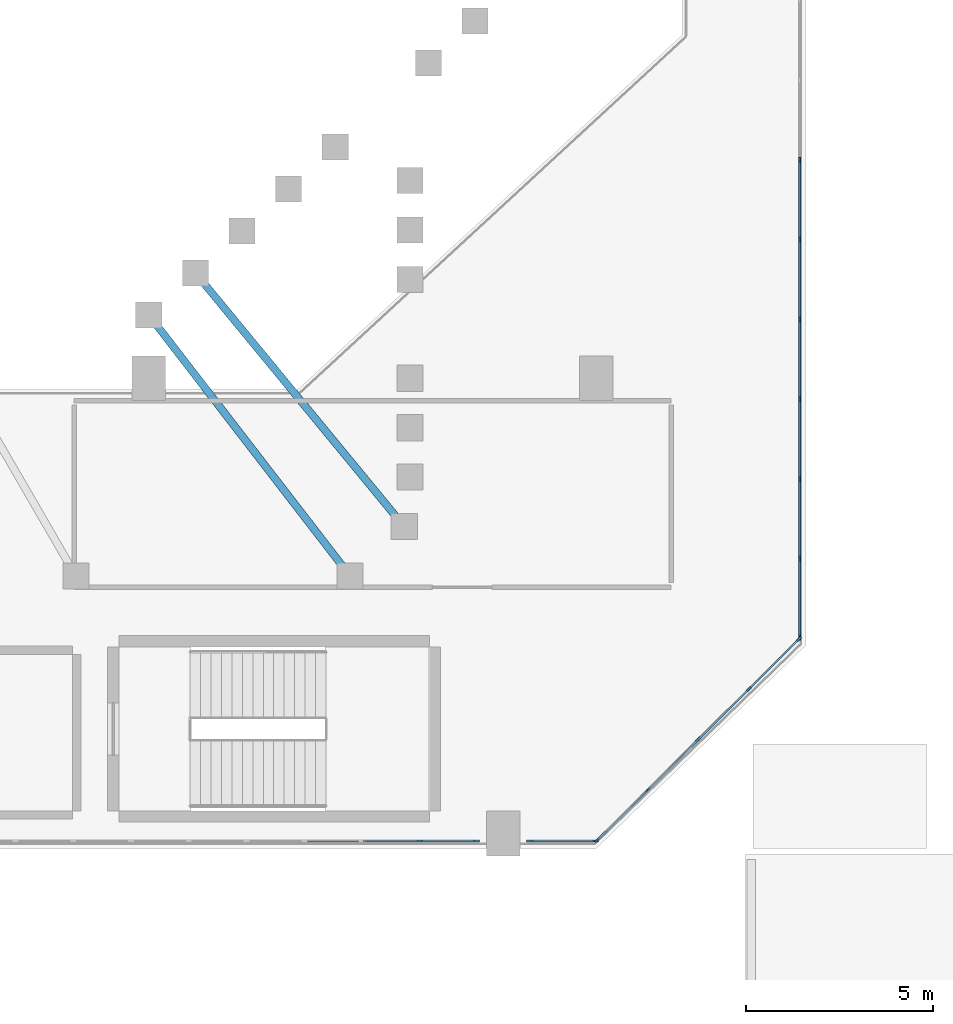
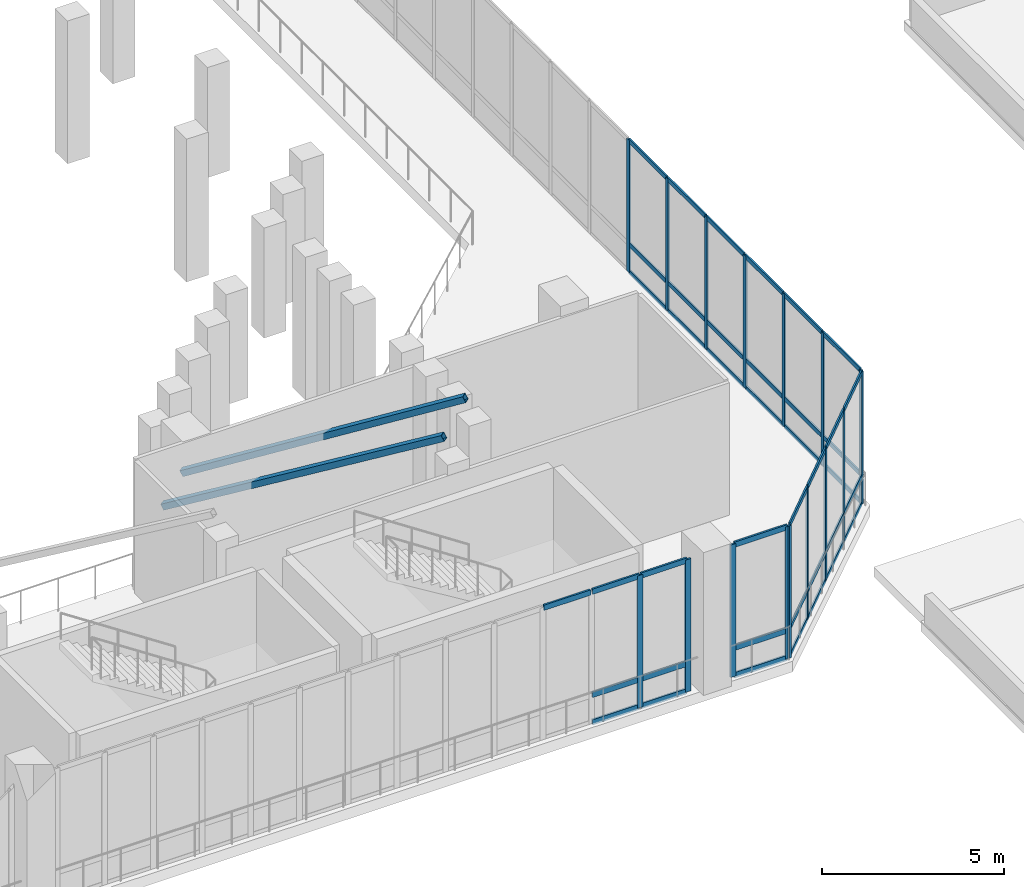
# One storey, part 27 of 126: 58 members, 4 elements without a shape of their own.
"""IFC4 building model written with IfcOpenShell, lengths in metres."""

from ifc_helpers import new_model, si_unit, derived_unit, direction, frame, origin, origin_2d, place, context, subcontext, project, spatial, rectangle, hollow_rectangle, extrude, material, layer, layer_set, material_profile, profile_set, type_object, element, aggregate, save


model = new_model("IFC4")

# Units and contexts
model_context = context("Model", 3, precision=1e-05, world=origin(), true_north=direction((0.0, 1.0)))
body_context = subcontext(model_context, "Body", "Model", "MODEL_VIEW")
ifc_project = project(units=[si_unit("LENGTHUNIT", "METRE"), si_unit("AREAUNIT", "SQUARE_METRE"), si_unit("VOLUMEUNIT", "CUBIC_METRE"), si_unit("PLANEANGLEUNIT", "RADIAN"), si_unit("MASSUNIT", "GRAM", prefix="KILO"), derived_unit("THERMALTRANSMITTANCEUNIT", [(si_unit("MASSUNIT", "GRAM", prefix="KILO"), 1), (si_unit("TIMEUNIT", "SECOND"), -3), (si_unit("THERMODYNAMICTEMPERATUREUNIT", "KELVIN"), -1)])], contexts=[model_context])

# Site, building, storey
site_placement = place(None, origin())
site = spatial("IfcSite", under=ifc_project, at=site_placement, CompositionType="ELEMENT")
building_placement = place(site_placement, origin())
building = spatial("IfcBuilding", under=site, at=building_placement, Name="Valcora Ridge Arena", CompositionType="ELEMENT")
storey_placement = place(building_placement, frame((0.0, 0.0, 11.39990234375)))
storey = spatial("IfcBuildingStorey", under=building, at=storey_placement, Name="L02", CompositionType="ELEMENT", Elevation=11.39990234375)

# Curtain wall, members
ifc_material_1 = material(Name="Anodised dark bronze architectural aluminium 6063-T6", Category="aluminium")
ifc_layer_1 = layer(ifc_material_1, 0.14990234375, Name="Anodised dark bronze architectural aluminium 6063-T6")
ifc_layer_set_1 = layer_set([ifc_layer_1], Name="Anodised dark bronze architectural aluminium 6063-T6")
curtain_wall_type_1 = type_object("IfcCurtainWallType", Name="TY-CURTAINWALL-CW-V1-EAST-077X44", PredefinedType="NOTDEFINED", material=ifc_layer_set_1)
curtain_wall_1_placement = place(storey_placement, origin())
curtain_wall_1 = element("IfcCurtainWall", 1, at=curtain_wall_1_placement, inside=storey, type_object=curtain_wall_type_1, Name="CW-V1-EAST-077X44 CW-0128", PredefinedType="NOTDEFINED")
ifc_material_profile_1 = material_profile(ifc_material_1, rectangle(XDim=0.050048828125, YDim=0.14990234375, at=origin_2d()), Name="ALU MULLION 50x150")
ifc_profile_set_1 = profile_set([ifc_material_profile_1], Name="Anodised dark bronze architectural aluminium 6063-T6")
member_type_1 = type_object("IfcMemberType", Name="TY-MEM-CWM-50x150", PredefinedType="MULLION", material=ifc_profile_set_1)
member_1_placement = place(storey_placement, frame((94.017578125, 20.217529296875, 0.0), z_axis=(0.0, 0.0, 1.0), x_axis=(-0.705655187665, 0.708555400884, 0.0)))
member_1 = element("IfcMember", 2, at=member_1_placement, type_object=member_type_1, Name="CW-0128/CWM-50x150/M00", PredefinedType="MULLION", context=body_context, shape_type="SweptSolid", body=[
    extrude(rectangle(XDim=0.050048828125, YDim=0.14990234375, at=origin_2d()), origin(), (0.0, 0.0, 1.0), 4.4501953125),
])
member_2_placement = place(storey_placement, frame((95.362548828125, 21.556884765625, 0.0), z_axis=(0.0, 0.0, 1.0), x_axis=(-0.705655187665, 0.708555400884, 0.0)))
member_2 = element("IfcMember", 3, at=member_2_placement, type_object=member_type_1, Name="CW-0128/CWM-50x150/M01", PredefinedType="MULLION", context=body_context, shape_type="SweptSolid", body=[
    extrude(rectangle(XDim=0.050048828125, YDim=0.14990234375, at=origin_2d()), origin(), (0.0, 0.0, 1.0), 4.4501953125),
])
member_3_placement = place(storey_placement, frame((96.72509765625, 22.913818359375, 0.0), z_axis=(0.0, 0.0, 1.0), x_axis=(-0.705655187665, 0.708555400884, 0.0)))
member_3 = element("IfcMember", 4, at=member_3_placement, type_object=member_type_1, Name="CW-0128/CWM-50x150/M02", PredefinedType="MULLION", context=body_context, shape_type="SweptSolid", body=[
    extrude(rectangle(XDim=0.050048828125, YDim=0.14990234375, at=origin_2d()), origin(), (0.0, 0.0, 1.0), 4.4501953125),
])
member_4_placement = place(storey_placement, frame((98.08740234375, 24.270751953125, 0.0), z_axis=(0.0, 0.0, 1.0), x_axis=(-0.705655187665, 0.708555400884, 0.0)))
member_4 = element("IfcMember", 5, at=member_4_placement, type_object=member_type_1, Name="CW-0128/CWM-50x150/M03", PredefinedType="MULLION", context=body_context, shape_type="SweptSolid", body=[
    extrude(rectangle(XDim=0.050048828125, YDim=0.14990234375, at=origin_2d()), origin(), (0.0, 0.0, 1.0), 4.4501953125),
])
member_5_placement = place(storey_placement, frame((99.432373046875, 25.610107421875, 0.0), z_axis=(0.0, 0.0, 1.0), x_axis=(-0.705655187665, 0.708555400884, 0.0)))
member_5 = element("IfcMember", 6, at=member_5_placement, type_object=member_type_1, Name="CW-0128/CWM-50x150/M04", PredefinedType="MULLION", context=body_context, shape_type="SweptSolid", body=[
    extrude(rectangle(XDim=0.050048828125, YDim=0.14990234375, at=origin_2d()), origin(), (0.0, 0.0, 1.0), 4.4501953125),
])

ifc_layer_2 = layer(ifc_material_1, 0.14990234375, Name="Anodised dark bronze architectural aluminium 6063-T6")
ifc_layer_set_2 = layer_set([ifc_layer_2], Name="Anodised dark bronze architectural aluminium 6063-T6")
curtain_wall_type_2 = type_object("IfcCurtainWallType", Name="TY-CURTAINWALL-CW-V1-EAST-769X44", PredefinedType="NOTDEFINED", material=ifc_layer_set_2)
curtain_wall_2_placement = place(storey_placement, origin())
curtain_wall_2 = element("IfcCurtainWall", 7, at=curtain_wall_2_placement, inside=storey, type_object=curtain_wall_type_2, Name="CW-V1-EAST-769X44 CW-0129", PredefinedType="NOTDEFINED")
member_6_placement = place(storey_placement, frame((99.449951171875, 25.652587890625, 0.0), z_axis=(0.0, 0.0, 1.0), x_axis=(-1.0, 0.0, 0.0)))
member_6 = element("IfcMember", 8, at=member_6_placement, type_object=member_type_1, Name="CW-0129/CWM-50x150/M00", PredefinedType="MULLION", context=body_context, shape_type="SweptSolid", body=[
    extrude(rectangle(XDim=0.050048828125, YDim=0.14990234375, at=origin_2d()), origin(), (0.0, 0.0, 1.0), 4.4501953125),
])
member_7_placement = place(storey_placement, frame((99.449951171875, 27.76513671875, 0.0), z_axis=(0.0, 0.0, 1.0), x_axis=(-1.0, 0.0, 0.0)))
member_7 = element("IfcMember", 9, at=member_7_placement, type_object=member_type_1, Name="CW-0129/CWM-50x150/M01", PredefinedType="MULLION", context=body_context, shape_type="SweptSolid", body=[
    extrude(rectangle(XDim=0.050048828125, YDim=0.14990234375, at=origin_2d()), origin(), (0.0, 0.0, 1.0), 4.4501953125),
])
member_8_placement = place(storey_placement, frame((99.449951171875, 29.90234375, 0.0), z_axis=(0.0, 0.0, 1.0), x_axis=(-1.0, 0.0, 0.0)))
member_8 = element("IfcMember", 10, at=member_8_placement, type_object=member_type_1, Name="CW-0129/CWM-50x150/M02", PredefinedType="MULLION", context=body_context, shape_type="SweptSolid", body=[
    extrude(rectangle(XDim=0.050048828125, YDim=0.14990234375, at=origin_2d()), origin(), (0.0, 0.0, 1.0), 4.4501953125),
])
member_9_placement = place(storey_placement, frame((99.449951171875, 32.039794921875, 0.0), z_axis=(0.0, 0.0, 1.0), x_axis=(-1.0, 0.0, 0.0)))
member_9 = element("IfcMember", 11, at=member_9_placement, type_object=member_type_1, Name="CW-0129/CWM-50x150/M03", PredefinedType="MULLION", context=body_context, shape_type="SweptSolid", body=[
    extrude(rectangle(XDim=0.050048828125, YDim=0.14990234375, at=origin_2d()), origin(), (0.0, 0.0, 1.0), 4.4501953125),
])
member_10_placement = place(storey_placement, frame((99.449951171875, 34.177001953125, 0.0), z_axis=(0.0, 0.0, 1.0), x_axis=(-1.0, 0.0, 0.0)))
member_10 = element("IfcMember", 12, at=member_10_placement, type_object=member_type_1, Name="CW-0129/CWM-50x150/M04", PredefinedType="MULLION", context=body_context, shape_type="SweptSolid", body=[
    extrude(rectangle(XDim=0.050048828125, YDim=0.14990234375, at=origin_2d()), origin(), (0.0, 0.0, 1.0), 4.4501953125),
])
member_11_placement = place(storey_placement, frame((99.449951171875, 36.314453125, 0.0), z_axis=(0.0, 0.0, 1.0), x_axis=(-1.0, 0.0, 0.0)))
member_11 = element("IfcMember", 13, at=member_11_placement, type_object=member_type_1, Name="CW-0129/CWM-50x150/M05", PredefinedType="MULLION", context=body_context, shape_type="SweptSolid", body=[
    extrude(rectangle(XDim=0.050048828125, YDim=0.14990234375, at=origin_2d()), origin(), (0.0, 0.0, 1.0), 4.4501953125),
])
member_12_placement = place(storey_placement, frame((99.449951171875, 38.451904296875, 0.0), z_axis=(0.0, 0.0, 1.0), x_axis=(-1.0, 0.0, 0.0)))
member_12 = element("IfcMember", 14, at=member_12_placement, type_object=member_type_1, Name="CW-0129/CWM-50x150/M06", PredefinedType="MULLION", context=body_context, shape_type="SweptSolid", body=[
    extrude(rectangle(XDim=0.050048828125, YDim=0.14990234375, at=origin_2d()), origin(), (0.0, 0.0, 1.0), 4.4501953125),
])

ifc_layer_3 = layer(ifc_material_1, 0.179931640625, Name="Anodised dark bronze architectural aluminium 6063-T6")
ifc_layer_set_3 = layer_set([ifc_layer_3], Name="Anodised dark bronze architectural aluminium 6063-T6")
curtain_wall_type_3 = type_object("IfcCurtainWallType", Name="TY-CURTAINWALL-CW-V1-GOTH-201X44", PredefinedType="NOTDEFINED", material=ifc_layer_set_3)
curtain_wall_3_placement = place(storey_placement, origin())
curtain_wall_3 = element("IfcCurtainWall", 15, at=curtain_wall_3_placement, inside=storey, type_object=curtain_wall_type_3, Name="CW-V1-GOTH-201X44 CW-0122", PredefinedType="NOTDEFINED")
ifc_material_profile_2 = material_profile(ifc_material_1, rectangle(XDim=0.06005859375, YDim=0.179931640625, at=origin_2d()), Name="ALU MULLION 60x180")
ifc_profile_set_2 = profile_set([ifc_material_profile_2], Name="Anodised dark bronze architectural aluminium 6063-T6")
member_type_2 = type_object("IfcMemberType", Name="TY-MEM-CWM-60x180", PredefinedType="MULLION", material=ifc_profile_set_2)
member_13_placement = place(storey_placement, frame((89.26220703125, 20.199951171875, 0.0), z_axis=(0.0, 0.0, 1.0), x_axis=(0.0, 1.0, 0.0)))
member_13 = element("IfcMember", 16, at=member_13_placement, type_object=member_type_2, Name="CW-0122/CWM-60x180/M12", PredefinedType="MULLION", context=body_context, shape_type="SweptSolid", body=[
    extrude(rectangle(XDim=0.06005859375, YDim=0.179931640625, at=origin_2d()), origin(), (0.0, 0.0, 1.0), 4.4501953125),
])
member_14_placement = place(storey_placement, frame((90.780029296875, 20.199951171875, 0.0), z_axis=(0.0, 0.0, 1.0), x_axis=(0.0, 1.0, 0.0)))
member_14 = element("IfcMember", 17, at=member_14_placement, type_object=member_type_2, Name="CW-0122/CWM-60x180/M13", PredefinedType="MULLION", context=body_context, shape_type="SweptSolid", body=[
    extrude(rectangle(XDim=0.06005859375, YDim=0.179931640625, at=origin_2d()), origin(), (0.0, 0.0, 1.0), 4.4501953125),
])

ifc_layer_4 = layer(ifc_material_1, 0.179931640625, Name="Anodised dark bronze architectural aluminium 6063-T6")
ifc_layer_set_4 = layer_set([ifc_layer_4], Name="Anodised dark bronze architectural aluminium 6063-T6")
curtain_wall_type_4 = type_object("IfcCurtainWallType", Name="TY-CURTAINWALL-CW-V1-GOTH-018X44", PredefinedType="NOTDEFINED", material=ifc_layer_set_4)
curtain_wall_4_placement = place(storey_placement, origin())
curtain_wall_4 = element("IfcCurtainWall", 18, at=curtain_wall_4_placement, inside=storey, type_object=curtain_wall_type_4, Name="CW-V1-GOTH-018X44 CW-0123", PredefinedType="NOTDEFINED")
member_15_placement = place(storey_placement, frame((92.219970703125, 20.199951171875, 0.0), z_axis=(0.0, 0.0, 1.0), x_axis=(0.0, 1.0, 0.0)))
member_15 = element("IfcMember", 19, at=member_15_placement, type_object=member_type_2, Name="CW-0123/CWM-60x180/M00", PredefinedType="MULLION", context=body_context, shape_type="SweptSolid", body=[
    extrude(rectangle(XDim=0.06005859375, YDim=0.179931640625, at=origin_2d()), origin(), (0.0, 0.0, 1.0), 4.4501953125),
])
member_16_placement = place(storey_placement, frame((93.969970703125, 20.199951171875, 0.0), z_axis=(0.0, 0.0, 1.0), x_axis=(0.0, 1.0, 0.0)))
member_16 = element("IfcMember", 20, at=member_16_placement, type_object=member_type_2, Name="CW-0123/CWM-60x180/M01", PredefinedType="MULLION", context=body_context, shape_type="SweptSolid", body=[
    extrude(rectangle(XDim=0.06005859375, YDim=0.179931640625, at=origin_2d()), origin(), (0.0, 0.0, 1.0), 4.4501953125),
])

# Member
ifc_material_profile_3 = material_profile(ifc_material_1, rectangle(XDim=0.050048828125, YDim=0.14990234375, at=origin_2d()), Name="ALU TRANSOM 50x150")
ifc_profile_set_3 = profile_set([ifc_material_profile_3], Name="Anodised dark bronze architectural aluminium 6063-T6")
member_type_3 = type_object("IfcMemberType", Name="TY-MEM-CWT-50x150", PredefinedType="USERDEFINED", material=ifc_profile_set_3)
member_17_placement = place(storey_placement, frame((94.035400390625, 20.2353515625, 0.025146484375), z_axis=(0.708558605724, 0.705651969638, 0.0), x_axis=(-0.705651969638, 0.708558605724, 0.0)))
member_17 = element("IfcMember", 21, at=member_17_placement, type_object=member_type_3, Name="CW-0128/CWT-50x150/T00-00", ObjectType="TRANSOM", PredefinedType="USERDEFINED", context=body_context, shape_type="SweptSolid", body=[
    extrude(rectangle(XDim=0.050048828125, YDim=0.14990234375, at=origin_2d()), origin(), (0.0, 0.0, 1.0), 1.847900390625),
])

member_18_placement = place(storey_placement, frame((94.035400390625, 20.2353515625, 0.9501953125), z_axis=(0.708558605724, 0.705651969638, 0.0), x_axis=(-0.705651969638, 0.708558605724, 0.0)))
member_18 = element("IfcMember", 22, at=member_18_placement, type_object=member_type_3, Name="CW-0128/CWT-50x150/T00-01", ObjectType="TRANSOM", PredefinedType="USERDEFINED", context=body_context, shape_type="SweptSolid", body=[
    extrude(rectangle(XDim=0.050048828125, YDim=0.14990234375, at=origin_2d()), origin(), (0.0, 0.0, 1.0), 1.847900390625),
])

member_19_placement = place(storey_placement, frame((94.035400390625, 20.2353515625, 4.425048828125), z_axis=(0.708558605724, 0.705651969638, 0.0), x_axis=(-0.705651969638, 0.708558605724, 0.0)))
member_19 = element("IfcMember", 23, at=member_19_placement, type_object=member_type_3, Name="CW-0128/CWT-50x150/T00-02", ObjectType="TRANSOM", PredefinedType="USERDEFINED", context=body_context, shape_type="SweptSolid", body=[
    extrude(rectangle(XDim=0.050048828125, YDim=0.14990234375, at=origin_2d()), origin(), (0.0, 0.0, 1.0), 1.847900390625),
])

member_20_placement = place(storey_placement, frame((95.38037109375, 21.57470703125, 0.025146484375), z_axis=(0.708604262994, 0.705606121336, 0.0), x_axis=(-0.705606121336, 0.708604262994, 0.0)))
member_20 = element("IfcMember", 24, at=member_20_placement, type_object=member_type_3, Name="CW-0128/CWT-50x150/T01-00", ObjectType="TRANSOM", PredefinedType="USERDEFINED", context=body_context, shape_type="SweptSolid", body=[
    extrude(rectangle(XDim=0.050048828125, YDim=0.14990234375, at=origin_2d()), origin(), (0.0, 0.0, 1.0), 1.872802734375),
])

member_21_placement = place(storey_placement, frame((95.38037109375, 21.57470703125, 0.9501953125), z_axis=(0.708604262994, 0.705606121336, 0.0), x_axis=(-0.705606121336, 0.708604262994, 0.0)))
member_21 = element("IfcMember", 25, at=member_21_placement, type_object=member_type_3, Name="CW-0128/CWT-50x150/T01-01", ObjectType="TRANSOM", PredefinedType="USERDEFINED", context=body_context, shape_type="SweptSolid", body=[
    extrude(rectangle(XDim=0.050048828125, YDim=0.14990234375, at=origin_2d()), origin(), (0.0, 0.0, 1.0), 1.872802734375),
])

member_22_placement = place(storey_placement, frame((95.38037109375, 21.57470703125, 4.425048828125), z_axis=(0.708604262994, 0.705606121336, 0.0), x_axis=(-0.705606121336, 0.708604262994, 0.0)))
member_22 = element("IfcMember", 26, at=member_22_placement, type_object=member_type_3, Name="CW-0128/CWT-50x150/T01-02", ObjectType="TRANSOM", PredefinedType="USERDEFINED", context=body_context, shape_type="SweptSolid", body=[
    extrude(rectangle(XDim=0.050048828125, YDim=0.14990234375, at=origin_2d()), origin(), (0.0, 0.0, 1.0), 1.872802734375),
])

member_23_placement = place(storey_placement, frame((96.742919921875, 22.931640625, 0.025146484375), z_axis=(0.708474173856, 0.705736739145, 0.0), x_axis=(-0.705736739145, 0.708474173856, 0.0)))
member_23 = element("IfcMember", 27, at=member_23_placement, type_object=member_type_3, Name="CW-0128/CWT-50x150/T02-00", ObjectType="TRANSOM", PredefinedType="USERDEFINED", context=body_context, shape_type="SweptSolid", body=[
    extrude(rectangle(XDim=0.050048828125, YDim=0.14990234375, at=origin_2d()), origin(), (0.0, 0.0, 1.0), 1.872802734375),
])

member_24_placement = place(storey_placement, frame((96.742919921875, 22.931640625, 0.9501953125), z_axis=(0.708474173856, 0.705736739145, 0.0), x_axis=(-0.705736739145, 0.708474173856, 0.0)))
member_24 = element("IfcMember", 28, at=member_24_placement, type_object=member_type_3, Name="CW-0128/CWT-50x150/T02-01", ObjectType="TRANSOM", PredefinedType="USERDEFINED", context=body_context, shape_type="SweptSolid", body=[
    extrude(rectangle(XDim=0.050048828125, YDim=0.14990234375, at=origin_2d()), origin(), (0.0, 0.0, 1.0), 1.872802734375),
])

member_25_placement = place(storey_placement, frame((96.742919921875, 22.931640625, 4.425048828125), z_axis=(0.708474173856, 0.705736739145, 0.0), x_axis=(-0.705736739145, 0.708474173856, 0.0)))
member_25 = element("IfcMember", 29, at=member_25_placement, type_object=member_type_3, Name="CW-0128/CWT-50x150/T02-02", ObjectType="TRANSOM", PredefinedType="USERDEFINED", context=body_context, shape_type="SweptSolid", body=[
    extrude(rectangle(XDim=0.050048828125, YDim=0.14990234375, at=origin_2d()), origin(), (0.0, 0.0, 1.0), 1.872802734375),
])

member_26_placement = place(storey_placement, frame((98.10546875, 24.28857421875, 0.025146484375), z_axis=(0.708558605724, 0.705651969638, 0.0), x_axis=(-0.705651969638, 0.708558605724, 0.0)))
member_26 = element("IfcMember", 30, at=member_26_placement, type_object=member_type_3, Name="CW-0128/CWT-50x150/T03-00", ObjectType="TRANSOM", PredefinedType="USERDEFINED", context=body_context, shape_type="SweptSolid", body=[
    extrude(rectangle(XDim=0.050048828125, YDim=0.14990234375, at=origin_2d()), origin(), (0.0, 0.0, 1.0), 1.847900390625),
])

member_27_placement = place(storey_placement, frame((98.10546875, 24.28857421875, 0.9501953125), z_axis=(0.708558605724, 0.705651969638, 0.0), x_axis=(-0.705651969638, 0.708558605724, 0.0)))
member_27 = element("IfcMember", 31, at=member_27_placement, type_object=member_type_3, Name="CW-0128/CWT-50x150/T03-01", ObjectType="TRANSOM", PredefinedType="USERDEFINED", context=body_context, shape_type="SweptSolid", body=[
    extrude(rectangle(XDim=0.050048828125, YDim=0.14990234375, at=origin_2d()), origin(), (0.0, 0.0, 1.0), 1.847900390625),
])

member_28_placement = place(storey_placement, frame((98.10546875, 24.28857421875, 4.425048828125), z_axis=(0.708558605724, 0.705651969638, 0.0), x_axis=(-0.705651969638, 0.708558605724, 0.0)))
member_28 = element("IfcMember", 32, at=member_28_placement, type_object=member_type_3, Name="CW-0128/CWT-50x150/T03-02", ObjectType="TRANSOM", PredefinedType="USERDEFINED", context=body_context, shape_type="SweptSolid", body=[
    extrude(rectangle(XDim=0.050048828125, YDim=0.14990234375, at=origin_2d()), origin(), (0.0, 0.0, 1.0), 1.847900390625),
])

aggregate(curtain_wall_1, [member_1, member_2, member_3, member_4, member_5, member_17, member_18, member_19, member_20, member_21, member_22, member_23, member_24, member_25, member_26, member_27, member_28])

member_29_placement = place(storey_placement, frame((99.449951171875, 25.677734375, 0.025146484375), z_axis=(0.0, 1.0, 0.0), x_axis=(-1.0, 0.0, 0.0)))
member_29 = element("IfcMember", 33, at=member_29_placement, type_object=member_type_3, Name="CW-0129/CWT-50x150/T00-00", ObjectType="TRANSOM", PredefinedType="USERDEFINED", context=body_context, shape_type="SweptSolid", body=[
    extrude(rectangle(XDim=0.050048828125, YDim=0.14990234375, at=origin_2d()), origin(), (0.0, 0.0, 1.0), 2.06201171875),
])

member_30_placement = place(storey_placement, frame((99.449951171875, 25.677734375, 0.9501953125), z_axis=(0.0, 1.0, 0.0), x_axis=(-1.0, 0.0, 0.0)))
member_30 = element("IfcMember", 34, at=member_30_placement, type_object=member_type_3, Name="CW-0129/CWT-50x150/T00-01", ObjectType="TRANSOM", PredefinedType="USERDEFINED", context=body_context, shape_type="SweptSolid", body=[
    extrude(rectangle(XDim=0.050048828125, YDim=0.14990234375, at=origin_2d()), origin(), (0.0, 0.0, 1.0), 2.06201171875),
])

member_31_placement = place(storey_placement, frame((99.449951171875, 25.677734375, 4.425048828125), z_axis=(0.0, 1.0, 0.0), x_axis=(-1.0, 0.0, 0.0)))
member_31 = element("IfcMember", 35, at=member_31_placement, type_object=member_type_3, Name="CW-0129/CWT-50x150/T00-02", ObjectType="TRANSOM", PredefinedType="USERDEFINED", context=body_context, shape_type="SweptSolid", body=[
    extrude(rectangle(XDim=0.050048828125, YDim=0.14990234375, at=origin_2d()), origin(), (0.0, 0.0, 1.0), 2.06201171875),
])

member_32_placement = place(storey_placement, frame((99.449951171875, 27.789794921875, 0.025146484375), z_axis=(0.0, 1.0, 0.0), x_axis=(-1.0, 0.0, 0.0)))
member_32 = element("IfcMember", 36, at=member_32_placement, type_object=member_type_3, Name="CW-0129/CWT-50x150/T01-00", ObjectType="TRANSOM", PredefinedType="USERDEFINED", context=body_context, shape_type="SweptSolid", body=[
    extrude(rectangle(XDim=0.050048828125, YDim=0.14990234375, at=origin_2d()), origin(), (0.0, 0.0, 1.0), 2.087890625),
])

member_33_placement = place(storey_placement, frame((99.449951171875, 27.789794921875, 0.9501953125), z_axis=(0.0, 1.0, 0.0), x_axis=(-1.0, 0.0, 0.0)))
member_33 = element("IfcMember", 37, at=member_33_placement, type_object=member_type_3, Name="CW-0129/CWT-50x150/T01-01", ObjectType="TRANSOM", PredefinedType="USERDEFINED", context=body_context, shape_type="SweptSolid", body=[
    extrude(rectangle(XDim=0.050048828125, YDim=0.14990234375, at=origin_2d()), origin(), (0.0, 0.0, 1.0), 2.087890625),
])

member_34_placement = place(storey_placement, frame((99.449951171875, 27.789794921875, 4.425048828125), z_axis=(0.0, 1.0, 0.0), x_axis=(-1.0, 0.0, 0.0)))
member_34 = element("IfcMember", 38, at=member_34_placement, type_object=member_type_3, Name="CW-0129/CWT-50x150/T01-02", ObjectType="TRANSOM", PredefinedType="USERDEFINED", context=body_context, shape_type="SweptSolid", body=[
    extrude(rectangle(XDim=0.050048828125, YDim=0.14990234375, at=origin_2d()), origin(), (0.0, 0.0, 1.0), 2.087890625),
])

member_35_placement = place(storey_placement, frame((99.449951171875, 29.927734375, 0.025146484375), z_axis=(0.0, 1.0, 0.0), x_axis=(-1.0, 0.0, 0.0)))
member_35 = element("IfcMember", 39, at=member_35_placement, type_object=member_type_3, Name="CW-0129/CWT-50x150/T02-00", ObjectType="TRANSOM", PredefinedType="USERDEFINED", context=body_context, shape_type="SweptSolid", body=[
    extrude(rectangle(XDim=0.050048828125, YDim=0.14990234375, at=origin_2d()), origin(), (0.0, 0.0, 1.0), 2.0869140625),
])

member_36_placement = place(storey_placement, frame((99.449951171875, 29.927734375, 0.9501953125), z_axis=(0.0, 1.0, 0.0), x_axis=(-1.0, 0.0, 0.0)))
member_36 = element("IfcMember", 40, at=member_36_placement, type_object=member_type_3, Name="CW-0129/CWT-50x150/T02-01", ObjectType="TRANSOM", PredefinedType="USERDEFINED", context=body_context, shape_type="SweptSolid", body=[
    extrude(rectangle(XDim=0.050048828125, YDim=0.14990234375, at=origin_2d()), origin(), (0.0, 0.0, 1.0), 2.0869140625),
])

member_37_placement = place(storey_placement, frame((99.449951171875, 29.927734375, 4.425048828125), z_axis=(0.0, 1.0, 0.0), x_axis=(-1.0, 0.0, 0.0)))
member_37 = element("IfcMember", 41, at=member_37_placement, type_object=member_type_3, Name="CW-0129/CWT-50x150/T02-02", ObjectType="TRANSOM", PredefinedType="USERDEFINED", context=body_context, shape_type="SweptSolid", body=[
    extrude(rectangle(XDim=0.050048828125, YDim=0.14990234375, at=origin_2d()), origin(), (0.0, 0.0, 1.0), 2.0869140625),
])

member_38_placement = place(storey_placement, frame((99.449951171875, 32.064697265625, 0.025146484375), z_axis=(0.0, 1.0, 0.0), x_axis=(-1.0, 0.0, 0.0)))
member_38 = element("IfcMember", 42, at=member_38_placement, type_object=member_type_3, Name="CW-0129/CWT-50x150/T03-00", ObjectType="TRANSOM", PredefinedType="USERDEFINED", context=body_context, shape_type="SweptSolid", body=[
    extrude(rectangle(XDim=0.050048828125, YDim=0.14990234375, at=origin_2d()), origin(), (0.0, 0.0, 1.0), 2.0869140625),
])

member_39_placement = place(storey_placement, frame((99.449951171875, 32.064697265625, 0.9501953125), z_axis=(0.0, 1.0, 0.0), x_axis=(-1.0, 0.0, 0.0)))
member_39 = element("IfcMember", 43, at=member_39_placement, type_object=member_type_3, Name="CW-0129/CWT-50x150/T03-01", ObjectType="TRANSOM", PredefinedType="USERDEFINED", context=body_context, shape_type="SweptSolid", body=[
    extrude(rectangle(XDim=0.050048828125, YDim=0.14990234375, at=origin_2d()), origin(), (0.0, 0.0, 1.0), 2.0869140625),
])

member_40_placement = place(storey_placement, frame((99.449951171875, 32.064697265625, 4.425048828125), z_axis=(0.0, 1.0, 0.0), x_axis=(-1.0, 0.0, 0.0)))
member_40 = element("IfcMember", 44, at=member_40_placement, type_object=member_type_3, Name="CW-0129/CWT-50x150/T03-02", ObjectType="TRANSOM", PredefinedType="USERDEFINED", context=body_context, shape_type="SweptSolid", body=[
    extrude(rectangle(XDim=0.050048828125, YDim=0.14990234375, at=origin_2d()), origin(), (0.0, 0.0, 1.0), 2.0869140625),
])

member_41_placement = place(storey_placement, frame((99.449951171875, 34.20166015625, 0.025146484375), z_axis=(0.0, 1.0, 0.0), x_axis=(-1.0, 0.0, 0.0)))
member_41 = element("IfcMember", 45, at=member_41_placement, type_object=member_type_3, Name="CW-0129/CWT-50x150/T04-00", ObjectType="TRANSOM", PredefinedType="USERDEFINED", context=body_context, shape_type="SweptSolid", body=[
    extrude(rectangle(XDim=0.050048828125, YDim=0.14990234375, at=origin_2d()), origin(), (0.0, 0.0, 1.0), 2.088134765625),
])

member_42_placement = place(storey_placement, frame((99.449951171875, 34.20166015625, 0.9501953125), z_axis=(0.0, 1.0, 0.0), x_axis=(-1.0, 0.0, 0.0)))
member_42 = element("IfcMember", 46, at=member_42_placement, type_object=member_type_3, Name="CW-0129/CWT-50x150/T04-01", ObjectType="TRANSOM", PredefinedType="USERDEFINED", context=body_context, shape_type="SweptSolid", body=[
    extrude(rectangle(XDim=0.050048828125, YDim=0.14990234375, at=origin_2d()), origin(), (0.0, 0.0, 1.0), 2.088134765625),
])

member_43_placement = place(storey_placement, frame((99.449951171875, 34.20166015625, 4.425048828125), z_axis=(0.0, 1.0, 0.0), x_axis=(-1.0, 0.0, 0.0)))
member_43 = element("IfcMember", 47, at=member_43_placement, type_object=member_type_3, Name="CW-0129/CWT-50x150/T04-02", ObjectType="TRANSOM", PredefinedType="USERDEFINED", context=body_context, shape_type="SweptSolid", body=[
    extrude(rectangle(XDim=0.050048828125, YDim=0.14990234375, at=origin_2d()), origin(), (0.0, 0.0, 1.0), 2.088134765625),
])

member_44_placement = place(storey_placement, frame((99.449951171875, 36.339599609375, 0.025146484375), z_axis=(0.0, 1.0, 0.0), x_axis=(-1.0, 0.0, 0.0)))
member_44 = element("IfcMember", 48, at=member_44_placement, type_object=member_type_3, Name="CW-0129/CWT-50x150/T05-00", ObjectType="TRANSOM", PredefinedType="USERDEFINED", context=body_context, shape_type="SweptSolid", body=[
    extrude(rectangle(XDim=0.050048828125, YDim=0.14990234375, at=origin_2d()), origin(), (0.0, 0.0, 1.0), 2.087158203125),
])

member_45_placement = place(storey_placement, frame((99.449951171875, 36.339599609375, 0.9501953125), z_axis=(0.0, 1.0, 0.0), x_axis=(-1.0, 0.0, 0.0)))
member_45 = element("IfcMember", 49, at=member_45_placement, type_object=member_type_3, Name="CW-0129/CWT-50x150/T05-01", ObjectType="TRANSOM", PredefinedType="USERDEFINED", context=body_context, shape_type="SweptSolid", body=[
    extrude(rectangle(XDim=0.050048828125, YDim=0.14990234375, at=origin_2d()), origin(), (0.0, 0.0, 1.0), 2.087158203125),
])

member_46_placement = place(storey_placement, frame((99.449951171875, 36.339599609375, 4.425048828125), z_axis=(0.0, 1.0, 0.0), x_axis=(-1.0, 0.0, 0.0)))
member_46 = element("IfcMember", 50, at=member_46_placement, type_object=member_type_3, Name="CW-0129/CWT-50x150/T05-02", ObjectType="TRANSOM", PredefinedType="USERDEFINED", context=body_context, shape_type="SweptSolid", body=[
    extrude(rectangle(XDim=0.050048828125, YDim=0.14990234375, at=origin_2d()), origin(), (0.0, 0.0, 1.0), 2.087158203125),
])

aggregate(curtain_wall_2, [member_6, member_7, member_8, member_9, member_10, member_11, member_12, member_29, member_30, member_31, member_32, member_33, member_34, member_35, member_36, member_37, member_38, member_39, member_40, member_41, member_42, member_43, member_44, member_45, member_46])

ifc_material_profile_4 = material_profile(ifc_material_1, rectangle(XDim=0.06005859375, YDim=0.179931640625, at=origin_2d()), Name="ALU TRANSOM 60x180")
ifc_profile_set_4 = profile_set([ifc_material_profile_4], Name="Anodised dark bronze architectural aluminium 6063-T6")
member_type_4 = type_object("IfcMemberType", Name="TY-MEM-CWT-60x180", PredefinedType="USERDEFINED", material=ifc_profile_set_4)
member_47_placement = place(storey_placement, frame((86.197021484375, 20.199951171875, 4.420166015625), z_axis=(1.0, 0.0, 0.0), x_axis=(0.0, 1.0, 0.0)))
member_47 = element("IfcMember", 51, at=member_47_placement, type_object=member_type_4, Name="CW-0122/CWT-60x180/T10-02", ObjectType="TRANSOM", PredefinedType="USERDEFINED", context=body_context, shape_type="SweptSolid", body=[
    extrude(rectangle(XDim=0.06005859375, YDim=0.179931640625, at=origin_2d()), origin(), (0.0, 0.0, 1.0), 1.488037109375),
])

member_48_placement = place(storey_placement, frame((87.7451171875, 20.199951171875, 0.030029296875), z_axis=(1.0, 0.0, 0.0), x_axis=(0.0, 1.0, 0.0)))
member_48 = element("IfcMember", 52, at=member_48_placement, type_object=member_type_4, Name="CW-0122/CWT-60x180/T11-00", ObjectType="TRANSOM", PredefinedType="USERDEFINED", context=body_context, shape_type="SweptSolid", body=[
    extrude(rectangle(XDim=0.06005859375, YDim=0.179931640625, at=origin_2d()), origin(), (0.0, 0.0, 1.0), 1.48681640625),
])

member_49_placement = place(storey_placement, frame((87.7451171875, 20.199951171875, 0.9501953125), z_axis=(1.0, 0.0, 0.0), x_axis=(0.0, 1.0, 0.0)))
member_49 = element("IfcMember", 53, at=member_49_placement, type_object=member_type_4, Name="CW-0122/CWT-60x180/T11-01", ObjectType="TRANSOM", PredefinedType="USERDEFINED", context=body_context, shape_type="SweptSolid", body=[
    extrude(rectangle(XDim=0.06005859375, YDim=0.179931640625, at=origin_2d()), origin(), (0.0, 0.0, 1.0), 1.48681640625),
])

member_50_placement = place(storey_placement, frame((87.7451171875, 20.199951171875, 4.420166015625), z_axis=(1.0, 0.0, 0.0), x_axis=(0.0, 1.0, 0.0)))
member_50 = element("IfcMember", 54, at=member_50_placement, type_object=member_type_4, Name="CW-0122/CWT-60x180/T11-02", ObjectType="TRANSOM", PredefinedType="USERDEFINED", context=body_context, shape_type="SweptSolid", body=[
    extrude(rectangle(XDim=0.06005859375, YDim=0.179931640625, at=origin_2d()), origin(), (0.0, 0.0, 1.0), 1.48681640625),
])

member_51_placement = place(storey_placement, frame((89.2919921875, 20.199951171875, 0.030029296875), z_axis=(1.0, 0.0, 0.0), x_axis=(0.0, 1.0, 0.0)))
member_51 = element("IfcMember", 55, at=member_51_placement, type_object=member_type_4, Name="CW-0122/CWT-60x180/T12-00", ObjectType="TRANSOM", PredefinedType="USERDEFINED", context=body_context, shape_type="SweptSolid", body=[
    extrude(rectangle(XDim=0.06005859375, YDim=0.179931640625, at=origin_2d()), origin(), (0.0, 0.0, 1.0), 1.4580078125),
])

member_52_placement = place(storey_placement, frame((89.2919921875, 20.199951171875, 0.9501953125), z_axis=(1.0, 0.0, 0.0), x_axis=(0.0, 1.0, 0.0)))
member_52 = element("IfcMember", 56, at=member_52_placement, type_object=member_type_4, Name="CW-0122/CWT-60x180/T12-01", ObjectType="TRANSOM", PredefinedType="USERDEFINED", context=body_context, shape_type="SweptSolid", body=[
    extrude(rectangle(XDim=0.06005859375, YDim=0.179931640625, at=origin_2d()), origin(), (0.0, 0.0, 1.0), 1.4580078125),
])

member_53_placement = place(storey_placement, frame((89.2919921875, 20.199951171875, 4.420166015625), z_axis=(1.0, 0.0, 0.0), x_axis=(0.0, 1.0, 0.0)))
member_53 = element("IfcMember", 57, at=member_53_placement, type_object=member_type_4, Name="CW-0122/CWT-60x180/T12-02", ObjectType="TRANSOM", PredefinedType="USERDEFINED", context=body_context, shape_type="SweptSolid", body=[
    extrude(rectangle(XDim=0.06005859375, YDim=0.179931640625, at=origin_2d()), origin(), (0.0, 0.0, 1.0), 1.4580078125),
])

aggregate(curtain_wall_3, [member_13, member_14, member_47, member_48, member_49, member_50, member_51, member_52, member_53])

member_54_placement = place(storey_placement, frame((92.25, 20.199951171875, 0.030029296875), z_axis=(1.0, 0.0, 0.0), x_axis=(0.0, 1.0, 0.0)))
member_54 = element("IfcMember", 58, at=member_54_placement, type_object=member_type_4, Name="CW-0123/CWT-60x180/T00-00", ObjectType="TRANSOM", PredefinedType="USERDEFINED", context=body_context, shape_type="SweptSolid", body=[
    extrude(rectangle(XDim=0.06005859375, YDim=0.179931640625, at=origin_2d()), origin(), (0.0, 0.0, 1.0), 1.68994140625),
])

member_55_placement = place(storey_placement, frame((92.25, 20.199951171875, 0.9501953125), z_axis=(1.0, 0.0, 0.0), x_axis=(0.0, 1.0, 0.0)))
member_55 = element("IfcMember", 59, at=member_55_placement, type_object=member_type_4, Name="CW-0123/CWT-60x180/T00-01", ObjectType="TRANSOM", PredefinedType="USERDEFINED", context=body_context, shape_type="SweptSolid", body=[
    extrude(rectangle(XDim=0.06005859375, YDim=0.179931640625, at=origin_2d()), origin(), (0.0, 0.0, 1.0), 1.68994140625),
])

member_56_placement = place(storey_placement, frame((92.25, 20.199951171875, 4.420166015625), z_axis=(1.0, 0.0, 0.0), x_axis=(0.0, 1.0, 0.0)))
member_56 = element("IfcMember", 60, at=member_56_placement, type_object=member_type_4, Name="CW-0123/CWT-60x180/T00-02", ObjectType="TRANSOM", PredefinedType="USERDEFINED", context=body_context, shape_type="SweptSolid", body=[
    extrude(rectangle(XDim=0.06005859375, YDim=0.179931640625, at=origin_2d()), origin(), (0.0, 0.0, 1.0), 1.68994140625),
])

aggregate(curtain_wall_4, [member_15, member_16, member_54, member_55, member_56])

# Members
ifc_material_2 = material(Name="Steel ASTM A500 Grade C", Category="steel")
ifc_material_profile_5 = material_profile(ifc_material_2, hollow_rectangle(XDim=0.199951171875, YDim=0.199951171875, WallThickness=0.012451171875, at=origin_2d()), Name="HSS200X200X12")
ifc_profile_set_5 = profile_set([ifc_material_profile_5], Name="Steel ASTM A500 Grade C")
member_type_5 = type_object("IfcMemberType", Name="TY-MEMBER-RKRUD-200", PredefinedType="BRACE", material=ifc_profile_set_5)
member_57_placement = place(storey_placement, frame((82.150390625, 34.105224609375, 0.833740234375), z_axis=(0.536787845456, -0.695842758825, 0.477139040491), x_axis=(0.79178508408, 0.610799787679, 0.0)))
element("IfcMember", 61, at=member_57_placement, inside=storey, type_object=member_type_5, Name="RKRUD-200 Raker Diagonal Brace", PredefinedType="BRACE", context=body_context, shape_type="SweptSolid", body=[
    extrude(hollow_rectangle(XDim=0.199951171875, YDim=0.199951171875, WallThickness=0.012451171875, at=origin_2d()), origin(), (0.0, 0.0, 1.0), 9.499755859375),
])
member_58_placement = place(storey_placement, frame((83.40625, 35.235107421875, 0.833984375), z_axis=(0.558208565242, -0.677830209573, 0.478486577326), x_axis=(0.771932777545, 0.635704166222, 0.0)))
element("IfcMember", 62, at=member_58_placement, inside=storey, type_object=member_type_5, Name="RKRUD-200 Raker Diagonal Brace", PredefinedType="BRACE", context=body_context, shape_type="SweptSolid", body=[
    extrude(hollow_rectangle(XDim=0.199951171875, YDim=0.199951171875, WallThickness=0.012451171875, at=origin_2d()), origin(), (0.0, 0.0, 1.0), 9.471923828125),
])

save(model, "model.ifc")
